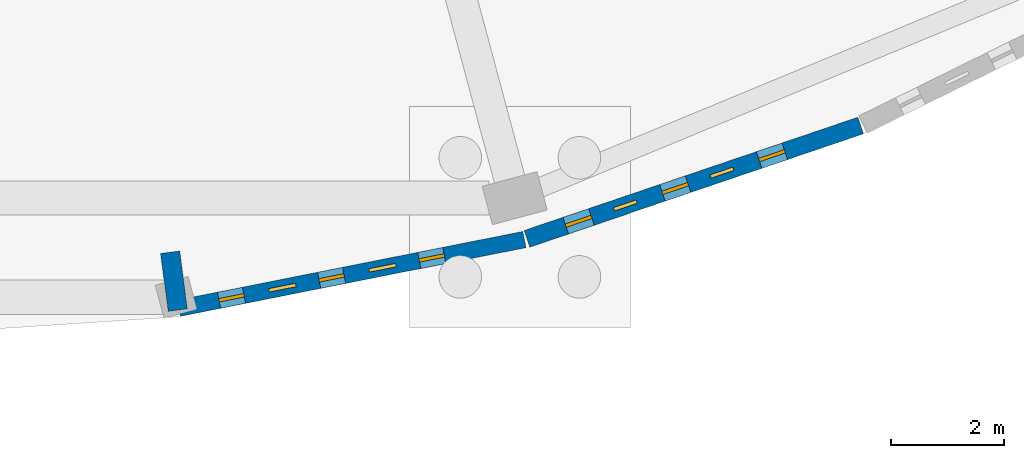
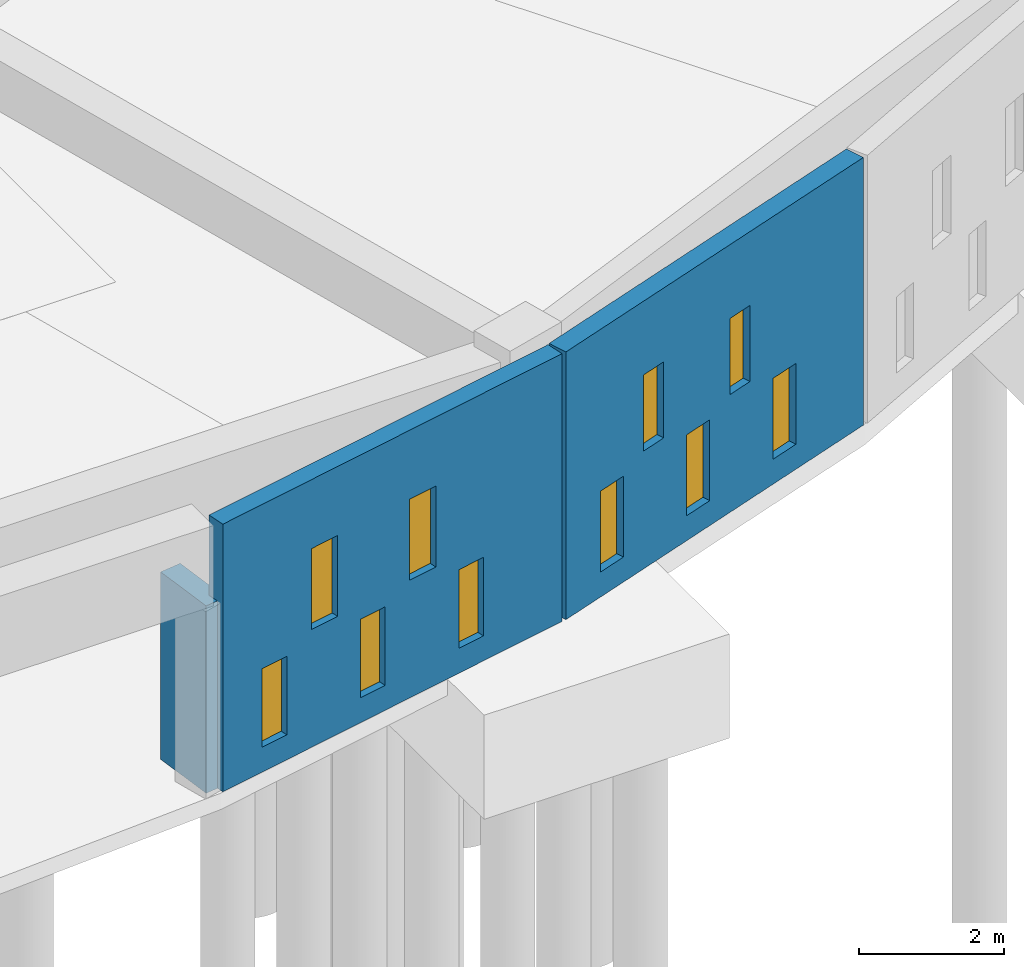
# One storey, part 43 of 84: 10 windows, 3 walls, 10 openings.
"""IFC4 building model written with IfcOpenShell, lengths in metres."""

from ifc_helpers import new_model, si_unit, direction, frame, frame_2d, origin, place, context, subcontext, project, spatial, rectangle, extrude, material, layer, layer_set, type_object, element, fill, save


model = new_model("IFC4")

# Units and contexts
model_context = context("Model", 3, precision=1e-05, world=origin(), true_north=direction((0.0, 1.0)))
body_context = subcontext(model_context, "Body", "Model", "MODEL_VIEW")
ifc_project = project(units=[si_unit("LENGTHUNIT", "METRE"), si_unit("AREAUNIT", "SQUARE_METRE"), si_unit("VOLUMEUNIT", "CUBIC_METRE"), si_unit("PLANEANGLEUNIT", "RADIAN"), si_unit("MASSUNIT", "GRAM", prefix="KILO")], contexts=[model_context])

# Site, building, storey
site_placement = place(None, origin())
site = spatial("IfcSite", under=ifc_project, at=site_placement, CompositionType="ELEMENT")
building_placement = place(site_placement, origin())
building = spatial("IfcBuilding", under=site, at=building_placement, Name="Larkveld Mobility Hub", CompositionType="ELEMENT")
storey_placement = place(building_placement, origin())
storey = spatial("IfcBuildingStorey", under=building, at=storey_placement, Name="L00", CompositionType="ELEMENT", Elevation=0.0)

# Wall, openings, windows
ifc_material_1 = material(Name="Fired clay brick 25 MPa", Category="masonry")
ifc_layer_1 = layer(ifc_material_1, 0.2900390625, Name="Fired clay brick 25 MPa", Category="masonry")
ifc_layer_set_1 = layer_set([ifc_layer_1], Name="Fired clay brick 25 MPa")
wall_type_1 = type_object("IfcWallType", Name="WL-BRK-290", PredefinedType="USERDEFINED", material=ifc_layer_set_1)
wall_1_placement = place(storey_placement, frame((54.27001953125, 0.56396484375, 0.0), z_axis=(0.0, 0.0, 1.0), x_axis=(0.980799338869, 0.195019632022, 0.0)))
wall_1 = element("IfcWall", 1, at=wall_1_placement, inside=storey, type_object=wall_type_1, Name="Drum Woven Open-Bond Brick Chord L00-0036", ObjectType="PERFORATED BRICK SCREEN", PredefinedType="USERDEFINED", context=body_context, shape_type="SweptSolid", body=[
    extrude(rectangle(XDim=6.209228515625, YDim=0.2900390625, at=frame_2d((3.1044921875, 0.0))), origin(), (0.0, 0.0, 1.0), 4.5),
])
opening_1_placement = place(wall_1_placement, frame((0.719970703125, 0.0, 0.419921875)))
opening_1 = element("IfcOpeningElement", 2, at=opening_1_placement, cuts=wall_1, Name="Opening W02", PredefinedType="OPENING", context=body_context, shape_type="SweptSolid", body=[
    extrude(rectangle(XDim=0.449951171875, YDim=1.320068359375, at=frame_2d((0.22509765625, 0.66015625))), frame((0.0, 0.155029296875, 0.0), z_axis=(0.0, -1.0, 0.0), x_axis=(1.0, 0.0, 0.0)), (0.0, 0.0, 1.0), 0.31005859375),
])
opening_2_placement = place(wall_1_placement, frame((2.52001953125, 0.0, 0.419921875)))
opening_2 = element("IfcOpeningElement", 3, at=opening_2_placement, cuts=wall_1, Name="Opening W02", PredefinedType="OPENING", context=body_context, shape_type="SweptSolid", body=[
    extrude(rectangle(XDim=0.449951171875, YDim=1.320068359375, at=frame_2d((0.22509765625, 0.66015625))), frame((0.0, 0.155029296875, 0.0), z_axis=(0.0, -1.0, 0.0), x_axis=(1.0, 0.0, 0.0)), (0.0, 0.0, 1.0), 0.31005859375),
])
opening_3_placement = place(wall_1_placement, frame((4.320068359375, 0.0, 0.419921875)))
opening_3 = element("IfcOpeningElement", 4, at=opening_3_placement, cuts=wall_1, Name="Opening W02", PredefinedType="OPENING", context=body_context, shape_type="SweptSolid", body=[
    extrude(rectangle(XDim=0.449951171875, YDim=1.320068359375, at=frame_2d((0.22509765625, 0.66015625))), frame((0.0, 0.155029296875, 0.0), z_axis=(0.0, -1.0, 0.0), x_axis=(1.0, 0.0, 0.0)), (0.0, 0.0, 1.0), 0.31005859375),
])
opening_4_placement = place(wall_1_placement, frame((1.6201171875, 0.0, 1.97998046875)))
opening_4 = element("IfcOpeningElement", 5, at=opening_4_placement, cuts=wall_1, Name="Opening W03", PredefinedType="OPENING", context=body_context, shape_type="SweptSolid", body=[
    extrude(rectangle(XDim=0.47998046875, YDim=1.360107421875, at=frame_2d((0.239990234375, 0.68017578125))), frame((0.0, 0.155029296875, 0.0), z_axis=(0.0, -1.0, 0.0), x_axis=(1.0, 0.0, 0.0)), (0.0, 0.0, 1.0), 0.31005859375),
])
opening_5_placement = place(wall_1_placement, frame((3.419921875, 0.0, 1.97998046875)))
opening_5 = element("IfcOpeningElement", 6, at=opening_5_placement, cuts=wall_1, Name="Opening W03", PredefinedType="OPENING", context=body_context, shape_type="SweptSolid", body=[
    extrude(rectangle(XDim=0.47998046875, YDim=1.360107421875, at=frame_2d((0.239990234375, 0.68017578125))), frame((0.0, 0.155029296875, 0.0), z_axis=(0.0, -1.0, 0.0), x_axis=(1.0, 0.0, 0.0)), (0.0, 0.0, 1.0), 0.31005859375),
])
ifc_material_2 = material(Name="Extruded aluminium ventilation grille", Category="aluminium")
window_type_1 = type_object("IfcWindowType", Name="WN-VENT-02", PartitioningType="SINGLE_PANEL", PredefinedType="WINDOW", material=ifc_material_2)
window_1_placement = place(opening_1_placement, origin())
window_1 = element("IfcWindow", 7, at=window_1_placement, inside=storey, type_object=window_type_1, Name="Window W02 (0166)", OverallHeight=1.320068359375, OverallWidth=0.449951171875, PartitioningType="SINGLE_PANEL", PredefinedType="WINDOW", context=body_context, shape_type="SweptSolid", body=[
    extrude(rectangle(XDim=0.449951171875, YDim=1.320068359375, at=frame_2d((0.22509765625, 0.66015625))), frame((0.0, 0.030029296875, 0.0), z_axis=(0.0, -1.0, 0.0), x_axis=(1.0, 0.0, 0.0)), (0.0, 0.0, 1.0), 0.06005859375),
])
fill(opening_1, window_1)
window_2_placement = place(opening_2_placement, origin())
window_2 = element("IfcWindow", 8, at=window_2_placement, inside=storey, type_object=window_type_1, Name="Window W02 (0167)", OverallHeight=1.320068359375, OverallWidth=0.449951171875, PartitioningType="SINGLE_PANEL", PredefinedType="WINDOW", context=body_context, shape_type="SweptSolid", body=[
    extrude(rectangle(XDim=0.449951171875, YDim=1.320068359375, at=frame_2d((0.22509765625, 0.66015625))), frame((0.0, 0.030029296875, 0.0), z_axis=(0.0, -1.0, 0.0), x_axis=(1.0, 0.0, 0.0)), (0.0, 0.0, 1.0), 0.06005859375),
])
fill(opening_2, window_2)
window_3_placement = place(opening_3_placement, origin())
window_3 = element("IfcWindow", 9, at=window_3_placement, inside=storey, type_object=window_type_1, Name="Window W02 (0168)", OverallHeight=1.320068359375, OverallWidth=0.449951171875, PartitioningType="SINGLE_PANEL", PredefinedType="WINDOW", context=body_context, shape_type="SweptSolid", body=[
    extrude(rectangle(XDim=0.449951171875, YDim=1.320068359375, at=frame_2d((0.22509765625, 0.66015625))), frame((0.0, 0.030029296875, 0.0), z_axis=(0.0, -1.0, 0.0), x_axis=(1.0, 0.0, 0.0)), (0.0, 0.0, 1.0), 0.06005859375),
])
fill(opening_3, window_3)
window_type_2 = type_object("IfcWindowType", Name="WN-VENT-03", PartitioningType="SINGLE_PANEL", PredefinedType="WINDOW", material=ifc_material_2)
window_4_placement = place(opening_4_placement, origin())
window_4 = element("IfcWindow", 10, at=window_4_placement, inside=storey, type_object=window_type_2, Name="Window W03 (0169)", OverallHeight=1.360107421875, OverallWidth=0.47998046875, PartitioningType="SINGLE_PANEL", PredefinedType="WINDOW", context=body_context, shape_type="SweptSolid", body=[
    extrude(rectangle(XDim=0.47998046875, YDim=1.360107421875, at=frame_2d((0.239990234375, 0.68017578125))), frame((0.0, 0.030029296875, 0.0), z_axis=(0.0, -1.0, 0.0), x_axis=(1.0, 0.0, 0.0)), (0.0, 0.0, 1.0), 0.06005859375),
])
fill(opening_4, window_4)
window_5_placement = place(opening_5_placement, origin())
window_5 = element("IfcWindow", 11, at=window_5_placement, inside=storey, type_object=window_type_2, Name="Window W03 (0170)", OverallHeight=1.360107421875, OverallWidth=0.47998046875, PartitioningType="SINGLE_PANEL", PredefinedType="WINDOW", context=body_context, shape_type="SweptSolid", body=[
    extrude(rectangle(XDim=0.47998046875, YDim=1.360107421875, at=frame_2d((0.239990234375, 0.68017578125))), frame((0.0, 0.030029296875, 0.0), z_axis=(0.0, -1.0, 0.0), x_axis=(1.0, 0.0, 0.0)), (0.0, 0.0, 1.0), 0.06005859375),
])
fill(opening_5, window_5)

ifc_layer_2 = layer(ifc_material_1, 0.31005859375, Name="Fired clay brick 25 MPa", Category="masonry")
ifc_layer_set_2 = layer_set([ifc_layer_2], Name="Fired clay brick 25 MPa")
wall_type_2 = type_object("IfcWallType", Name="WL-BRK-310", PredefinedType="USERDEFINED", material=ifc_layer_set_2)
wall_2_placement = place(storey_placement, frame((60.406982421875, 1.7880859375, 0.0), z_axis=(0.0, 0.0, 1.0), x_axis=(0.946955417172, 0.321364960579, 0.0)))
wall_2 = element("IfcWall", 12, at=wall_2_placement, inside=storey, type_object=wall_type_2, Name="Drum Woven Open-Bond Brick Chord L00-0037", ObjectType="PERFORATED BRICK SCREEN", PredefinedType="USERDEFINED", context=body_context, shape_type="SweptSolid", body=[
    extrude(rectangle(XDim=6.21044921875, YDim=0.31005859375, at=frame_2d((3.105224609375, 0.0))), origin(), (0.0, 0.0, 1.0), 4.5),
])
opening_6_placement = place(wall_2_placement, frame((0.719970703125, 0.0, 0.419921875)))
opening_6 = element("IfcOpeningElement", 13, at=opening_6_placement, cuts=wall_2, Name="Opening W03", PredefinedType="OPENING", context=body_context, shape_type="SweptSolid", body=[
    extrude(rectangle(XDim=0.47998046875, YDim=1.360107421875, at=frame_2d((0.239990234375, 0.68017578125))), frame((0.0, 0.1650390625, 0.0), z_axis=(0.0, -1.0, 0.0), x_axis=(1.0, 0.0, 0.0)), (0.0, 0.0, 1.0), 0.330078125),
])
opening_7_placement = place(wall_2_placement, frame((2.52001953125, 0.0, 0.419921875)))
opening_7 = element("IfcOpeningElement", 14, at=opening_7_placement, cuts=wall_2, Name="Opening W03", PredefinedType="OPENING", context=body_context, shape_type="SweptSolid", body=[
    extrude(rectangle(XDim=0.47998046875, YDim=1.360107421875, at=frame_2d((0.239990234375, 0.68017578125))), frame((0.0, 0.1650390625, 0.0), z_axis=(0.0, -1.0, 0.0), x_axis=(1.0, 0.0, 0.0)), (0.0, 0.0, 1.0), 0.330078125),
])
opening_8_placement = place(wall_2_placement, frame((4.320068359375, 0.0, 0.419921875)))
opening_8 = element("IfcOpeningElement", 15, at=opening_8_placement, cuts=wall_2, Name="Opening W03", PredefinedType="OPENING", context=body_context, shape_type="SweptSolid", body=[
    extrude(rectangle(XDim=0.47998046875, YDim=1.360107421875, at=frame_2d((0.239990234375, 0.68017578125))), frame((0.0, 0.1650390625, 0.0), z_axis=(0.0, -1.0, 0.0), x_axis=(1.0, 0.0, 0.0)), (0.0, 0.0, 1.0), 0.330078125),
])
opening_9_placement = place(wall_2_placement, frame((1.6201171875, 0.0, 1.97998046875)))
opening_9 = element("IfcOpeningElement", 16, at=opening_9_placement, cuts=wall_2, Name="Opening W01", PredefinedType="OPENING", context=body_context, shape_type="SweptSolid", body=[
    extrude(rectangle(XDim=0.419921875, YDim=1.280029296875, at=frame_2d((0.2099609375, 0.64013671875))), frame((0.0, 0.1650390625, 0.0), z_axis=(0.0, -1.0, 0.0), x_axis=(1.0, 0.0, 0.0)), (0.0, 0.0, 1.0), 0.330078125),
])
opening_10_placement = place(wall_2_placement, frame((3.419921875, 0.0, 1.97998046875)))
opening_10 = element("IfcOpeningElement", 17, at=opening_10_placement, cuts=wall_2, Name="Opening W01", PredefinedType="OPENING", context=body_context, shape_type="SweptSolid", body=[
    extrude(rectangle(XDim=0.419921875, YDim=1.280029296875, at=frame_2d((0.2099609375, 0.64013671875))), frame((0.0, 0.1650390625, 0.0), z_axis=(0.0, -1.0, 0.0), x_axis=(1.0, 0.0, 0.0)), (0.0, 0.0, 1.0), 0.330078125),
])
window_type_3 = type_object("IfcWindowType", Name="WN-VENT-01", PartitioningType="SINGLE_PANEL", PredefinedType="WINDOW", material=ifc_material_2)
window_6_placement = place(opening_9_placement, origin())
window_6 = element("IfcWindow", 18, at=window_6_placement, inside=storey, type_object=window_type_3, Name="Window W01 (0174)", OverallHeight=1.280029296875, OverallWidth=0.419921875, PartitioningType="SINGLE_PANEL", PredefinedType="WINDOW", context=body_context, shape_type="SweptSolid", body=[
    extrude(rectangle(XDim=0.419921875, YDim=1.280029296875, at=frame_2d((0.2099609375, 0.64013671875))), frame((0.0, 0.030029296875, 0.0), z_axis=(0.0, -1.0, 0.0), x_axis=(1.0, 0.0, 0.0)), (0.0, 0.0, 1.0), 0.06005859375),
])
fill(opening_9, window_6)
window_7_placement = place(opening_10_placement, origin())
window_7 = element("IfcWindow", 19, at=window_7_placement, inside=storey, type_object=window_type_3, Name="Window W01 (0175)", OverallHeight=1.280029296875, OverallWidth=0.419921875, PartitioningType="SINGLE_PANEL", PredefinedType="WINDOW", context=body_context, shape_type="SweptSolid", body=[
    extrude(rectangle(XDim=0.419921875, YDim=1.280029296875, at=frame_2d((0.2099609375, 0.64013671875))), frame((0.0, 0.030029296875, 0.0), z_axis=(0.0, -1.0, 0.0), x_axis=(1.0, 0.0, 0.0)), (0.0, 0.0, 1.0), 0.06005859375),
])
fill(opening_10, window_7)
window_8_placement = place(opening_6_placement, origin())
window_8 = element("IfcWindow", 20, at=window_8_placement, inside=storey, type_object=window_type_2, Name="Window W03 (0171)", OverallHeight=1.360107421875, OverallWidth=0.47998046875, PartitioningType="SINGLE_PANEL", PredefinedType="WINDOW", context=body_context, shape_type="SweptSolid", body=[
    extrude(rectangle(XDim=0.47998046875, YDim=1.360107421875, at=frame_2d((0.239990234375, 0.68017578125))), frame((0.0, 0.030029296875, 0.0), z_axis=(0.0, -1.0, 0.0), x_axis=(1.0, 0.0, 0.0)), (0.0, 0.0, 1.0), 0.06005859375),
])
fill(opening_6, window_8)
window_9_placement = place(opening_7_placement, origin())
window_9 = element("IfcWindow", 21, at=window_9_placement, inside=storey, type_object=window_type_2, Name="Window W03 (0172)", OverallHeight=1.360107421875, OverallWidth=0.47998046875, PartitioningType="SINGLE_PANEL", PredefinedType="WINDOW", context=body_context, shape_type="SweptSolid", body=[
    extrude(rectangle(XDim=0.47998046875, YDim=1.360107421875, at=frame_2d((0.239990234375, 0.68017578125))), frame((0.0, 0.030029296875, 0.0), z_axis=(0.0, -1.0, 0.0), x_axis=(1.0, 0.0, 0.0)), (0.0, 0.0, 1.0), 0.06005859375),
])
fill(opening_7, window_9)
window_10_placement = place(opening_8_placement, origin())
window_10 = element("IfcWindow", 22, at=window_10_placement, inside=storey, type_object=window_type_2, Name="Window W03 (0173)", OverallHeight=1.360107421875, OverallWidth=0.47998046875, PartitioningType="SINGLE_PANEL", PredefinedType="WINDOW", context=body_context, shape_type="SweptSolid", body=[
    extrude(rectangle(XDim=0.47998046875, YDim=1.360107421875, at=frame_2d((0.239990234375, 0.68017578125))), frame((0.0, 0.030029296875, 0.0), z_axis=(0.0, -1.0, 0.0), x_axis=(1.0, 0.0, 0.0)), (0.0, 0.0, 1.0), 0.06005859375),
])
fill(opening_8, window_10)

# Wall
ifc_layer_3 = layer(ifc_material_1, 0.340087890625, Name="Fired clay brick 25 MPa", Category="masonry")
ifc_layer_set_3 = layer_set([ifc_layer_3], Name="Fired clay brick 25 MPa")
wall_type_3 = type_object("IfcWallType", Name="WL-BRK-340", PredefinedType="USERDEFINED", material=ifc_layer_set_3)
wall_3_placement = place(storey_placement, frame((54.114990234375, 1.551025390625, 0.0), z_axis=(0.0, 0.0, 1.0), x_axis=(0.131092230435, -0.991370176634, 0.0)))
element("IfcWall", 23, at=wall_3_placement, inside=storey, type_object=wall_type_3, Name="Drum Entrance Portal East Brick Reveal 0035", ObjectType="PERFORATED BRICK SCREEN", PredefinedType="USERDEFINED", context=body_context, shape_type="SweptSolid", body=[
    extrude(rectangle(XDim=1.02978515625, YDim=0.340087890625, at=frame_2d((0.514892578125, 0.0))), origin(), (0.0, 0.0, 1.0), 3.14990234375),
])

save(model, "model.ifc")
